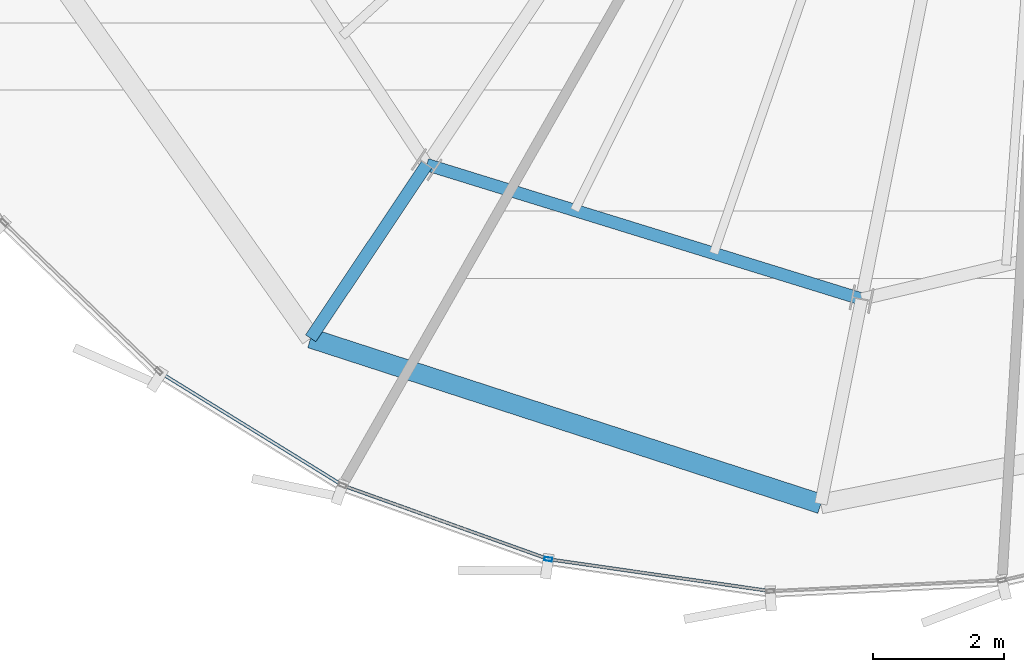
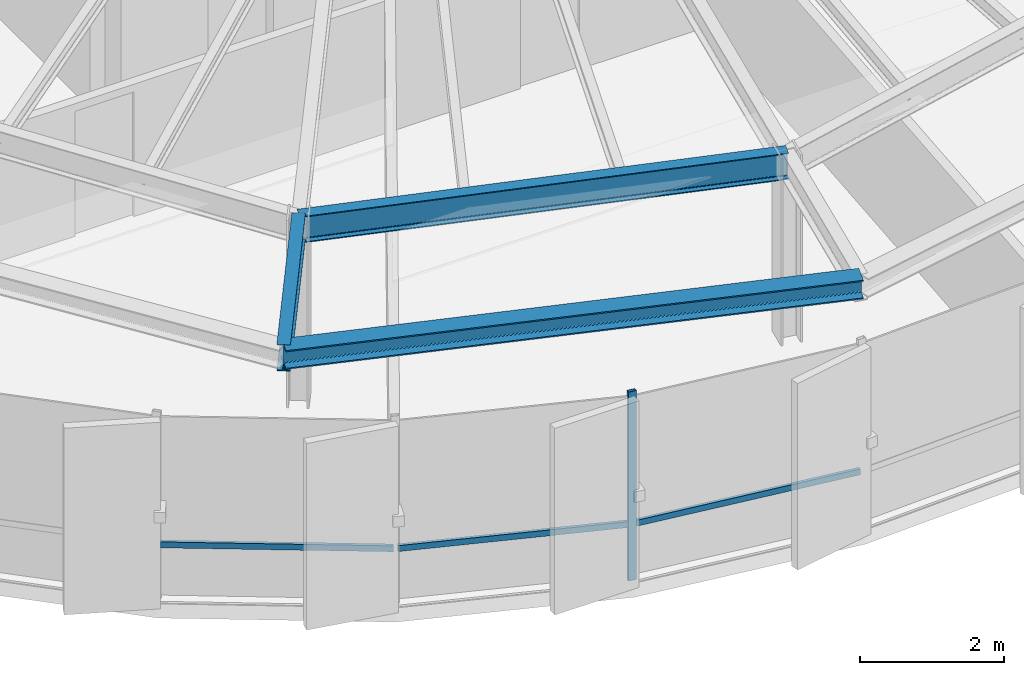
# One storey, part 3 of 35: 4 members, 3 beams, 1 element without a shape of its own.
"""IFC4 building model written with IfcOpenShell, lengths in metres."""

from ifc_helpers import new_model, si_unit, direction, frame, origin, origin_2d, place, context, subcontext, project, spatial, hollow_rectangle, i_section, extrude, source, transform, mapped, material, layer, layer_set, material_profile, profile_set, type_object, element, aggregate, save


model = new_model("IFC4")

# Units and contexts
model_context = context("Model", 3, precision=1e-05, world=origin(), true_north=direction((0.0, 1.0)))
body_context = subcontext(model_context, "Body", "Model", "MODEL_VIEW")
ifc_project = project(units=[si_unit("LENGTHUNIT", "METRE"), si_unit("AREAUNIT", "SQUARE_METRE"), si_unit("VOLUMEUNIT", "CUBIC_METRE"), si_unit("PLANEANGLEUNIT", "RADIAN"), si_unit("MASSUNIT", "GRAM", prefix="KILO"), si_unit("THERMODYNAMICTEMPERATUREUNIT", "KELVIN")], contexts=[model_context])

# Site, building, storey
site_placement = place(None, origin())
site = spatial("IfcSite", under=ifc_project, at=site_placement, CompositionType="ELEMENT")
building_placement = place(site_placement, origin())
building = spatial("IfcBuilding", under=site, at=building_placement, Name="Kethvar Cultural Tower", CompositionType="ELEMENT")
storey_placement = place(building_placement, frame((0.0, 0.0, 245.64990234375)))
storey = spatial("IfcBuildingStorey", under=building, at=storey_placement, Name="L64", CompositionType="ELEMENT", Elevation=245.64990234375)

# Beams
ifc_material_1 = material(Name="Steel S355J2", Category="steel")
ifc_material_profile_1 = material_profile(ifc_material_1, i_section(OverallWidth=0.18994140625, OverallDepth=0.449951171875, WebThickness=0.009521484375, FlangeThickness=0.0146484375, FilletRadius=0.02099609375, at=origin_2d()), Name="Steel S355J2 — IPE450")
ifc_profile_set_1 = profile_set([ifc_material_profile_1], Name="Steel S355J2 — IPE450")
beam_type_1 = type_object("IfcBeamType", Name="BM-IPE450", PredefinedType="BEAM", material=ifc_profile_set_1)
shared_shape_1 = source(origin(), body_context, "Body", "SweptSolid", [
    extrude(i_section(OverallWidth=0.18994140625, OverallDepth=0.449951171875, WebThickness=0.009521484375, FlangeThickness=0.0146484375, FilletRadius=0.02099609375, at=origin_2d()), origin(), (0.0, 0.0, 1.0), 3.199951171875),
])
beam_1_placement = place(storey_placement, frame((36.731201171875, 12.73095703125, 2.983154296875), z_axis=(-0.555580212716, -0.831462943996, 0.0), x_axis=(0.831462943996, -0.555580212716, 0.0)))
element("IfcBeam", 1, at=beam_1_placement, inside=storey, type_object=beam_type_1, Name="L64 Perimeter Cantilever Beam RC-11", PredefinedType="BEAM", context=body_context, shape_type="MappedRepresentation", body=[
    mapped(shared_shape_1, transform((0.0, 0.0, 0.0), scale=1.0)),
])
shared_shape_2 = source(origin(), body_context, "Body", "SweptSolid", [
    extrude(i_section(OverallWidth=0.18994140625, OverallDepth=0.449951171875, WebThickness=0.009521484375, FlangeThickness=0.0146484375, FilletRadius=0.02099609375, at=origin_2d()), origin(), (0.0, 0.0, 1.0), 6.97265625),
])
beam_2_placement = place(storey_placement, frame((36.731201171875, 12.73095703125, 2.983154296875), z_axis=(0.955381444404, -0.295374839295, 0.0), x_axis=(0.295374839295, 0.955381444404, 0.0)))
element("IfcBeam", 2, at=beam_2_placement, inside=storey, type_object=beam_type_1, Name="L64 Column Ring Tie Beam CR-11", PredefinedType="BEAM", context=body_context, shape_type="MappedRepresentation", body=[
    mapped(shared_shape_2, transform((0.0, 0.0, 0.0), scale=1.0)),
])
ifc_material_profile_2 = material_profile(ifc_material_1, i_section(OverallWidth=0.300048828125, OverallDepth=0.320068359375, WebThickness=0.011474609375, FlangeThickness=0.0205078125, FilletRadius=0.027099609375, at=origin_2d()), Name="Steel S355J2 — HEB320")
ifc_profile_set_2 = profile_set([ifc_material_profile_2], Name="Steel S355J2 — HEB320")
beam_type_2 = type_object("IfcBeamType", Name="BM-SP320", PredefinedType="SPANDREL", material=ifc_profile_set_2)
shared_shape_3 = source(origin(), body_context, "Body", "SweptSolid", [
    extrude(i_section(OverallWidth=0.300048828125, OverallDepth=0.320068359375, WebThickness=0.011474609375, FlangeThickness=0.0205078125, FilletRadius=0.027099609375, at=origin_2d()), origin(), (0.0, 0.0, 1.0), 8.216796875),
])
beam_3_placement = place(storey_placement, frame((34.953369140625, 10.0703125, 3.048095703125), z_axis=(0.951117661456, -0.30882874553, 0.0), x_axis=(0.30882874553, 0.951117661456, 0.0)))
element("IfcBeam", 3, at=beam_3_placement, inside=storey, type_object=beam_type_2, Name="L64 Perimeter Spandrel Beam SP-11", PredefinedType="SPANDREL", context=body_context, shape_type="MappedRepresentation", body=[
    mapped(shared_shape_3, transform((0.0, 0.0, 0.0), scale=1.0)),
])

# Curtain wall, members
ifc_material_2 = material(Name="Aluminium 6063-T6", Category="aluminium")
ifc_layer = layer(ifc_material_2, 0.179931640625, Name="Aluminium 6063-T6", Category="aluminium")
ifc_layer_set = layer_set([ifc_layer], Name="Aluminium 6063-T6 (180 mm)")
curtain_wall_type = type_object("IfcCurtainWallType", Name="CW-SYS-05-Z56", PredefinedType="NOTDEFINED", material=ifc_layer_set)
curtain_wall_placement = place(storey_placement, origin())
curtain_wall = element("IfcCurtainWall", 4, at=curtain_wall_placement, inside=storey, type_object=curtain_wall_type, Name="L64 Curtain Wall Run 04", PredefinedType="NOTDEFINED")
ifc_material_profile_3 = material_profile(ifc_material_2, hollow_rectangle(XDim=0.054931640625, YDim=0.1201171875, WallThickness=0.00390625, at=origin_2d()), Name="Aluminium 6063-T6 — RHS120x55x4")
ifc_profile_set_3 = profile_set([ifc_material_profile_3], Name="Aluminium 6063-T6 — RHS120x55x4")
member_type_1 = type_object("IfcMemberType", Name="CW-SYS-05-Z56-MUL", PredefinedType="MULLION", material=ifc_profile_set_3)
shared_shape_4 = source(origin(), body_context, "Body", "SweptSolid", [
    extrude(hollow_rectangle(XDim=0.054931640625, YDim=0.1201171875, WallThickness=0.00390625, at=origin_2d()), origin(), (0.0, 0.0, 1.0), 3.210205078125),
])
member_1_placement = place(storey_placement, frame((38.59228515625, 6.6865234375, 0.0), z_axis=(0.0, 0.0, 1.0), x_axis=(0.142041563588, 0.989860694347, 0.0)))
member_1 = element("IfcMember", 5, at=member_1_placement, type_object=member_type_1, Name="CW-L64-R04 Mullion 3", PredefinedType="MULLION", context=body_context, shape_type="MappedRepresentation", body=[
    mapped(shared_shape_4, transform((0.0, 0.0, 0.0), scale=1.0)),
])
ifc_material_profile_4 = material_profile(ifc_material_2, hollow_rectangle(XDim=0.050048828125, YDim=0.10009765625, WallThickness=0.00390625, at=origin_2d()), Name="Aluminium 6063-T6 — RHS100x50x4")
ifc_profile_set_4 = profile_set([ifc_material_profile_4], Name="Aluminium 6063-T6 — RHS100x50x4")
member_type_2 = type_object("IfcMemberType", Name="CW-SYS-05-Z56-TRN", PredefinedType="USERDEFINED", material=ifc_profile_set_4)
shared_shape_5 = source(origin(), body_context, "Body", "SweptSolid", [
    extrude(hollow_rectangle(XDim=0.050048828125, YDim=0.10009765625, WallThickness=0.00390625, at=origin_2d()), origin(), (0.0, 0.0, 1.0), 3.289794921875),
])
member_2_placement = place(storey_placement, frame((35.477294921875, 7.803955078125, 0.9501953125), z_axis=(0.941476329478, -0.337079102041, 0.0), x_axis=(0.337079102041, 0.941476329478, 0.0)))
member_2 = element("IfcMember", 6, at=member_2_placement, type_object=member_type_2, Name="CW-L64-R04 Transom 2", ObjectType="TRANSOM", PredefinedType="USERDEFINED", context=body_context, shape_type="MappedRepresentation", body=[
    mapped(shared_shape_5, transform((0.0, 0.0, 0.0), scale=1.0)),
])
shared_shape_6 = source(origin(), body_context, "Body", "SweptSolid", [
    extrude(hollow_rectangle(XDim=0.050048828125, YDim=0.10009765625, WallThickness=0.00390625, at=origin_2d()), origin(), (0.0, 0.0, 1.0), 3.2421875),
])
member_3_placement = place(storey_placement, frame((32.6669921875, 9.533203125, 0.9501953125), z_axis=(0.850736601273, -0.525592270923, 0.0), x_axis=(0.525592270923, 0.850736601273, 0.0)))
member_3 = element("IfcMember", 7, at=member_3_placement, type_object=member_type_2, Name="CW-L64-R04 Transom 1", ObjectType="TRANSOM", PredefinedType="USERDEFINED", context=body_context, shape_type="MappedRepresentation", body=[
    mapped(shared_shape_6, transform((0.0, 0.0, 0.0), scale=1.0)),
])
shared_shape_7 = source(origin(), body_context, "Body", "SweptSolid", [
    extrude(hollow_rectangle(XDim=0.050048828125, YDim=0.10009765625, WallThickness=0.00390625, at=origin_2d()), origin(), (0.0, 0.0, 1.0), 3.377197265625),
])
member_4_placement = place(storey_placement, frame((38.631591796875, 6.680908203125, 0.9501953125), z_axis=(0.989859655864, -0.142048800392, 0.0), x_axis=(0.142048800392, 0.989859655864, 0.0)))
member_4 = element("IfcMember", 8, at=member_4_placement, type_object=member_type_2, Name="CW-L64-R04 Transom 3", ObjectType="TRANSOM", PredefinedType="USERDEFINED", context=body_context, shape_type="MappedRepresentation", body=[
    mapped(shared_shape_7, transform((0.0, 0.0, 0.0), scale=1.0)),
])
aggregate(curtain_wall, [member_1, member_3, member_2, member_4])

save(model, "model.ifc")
